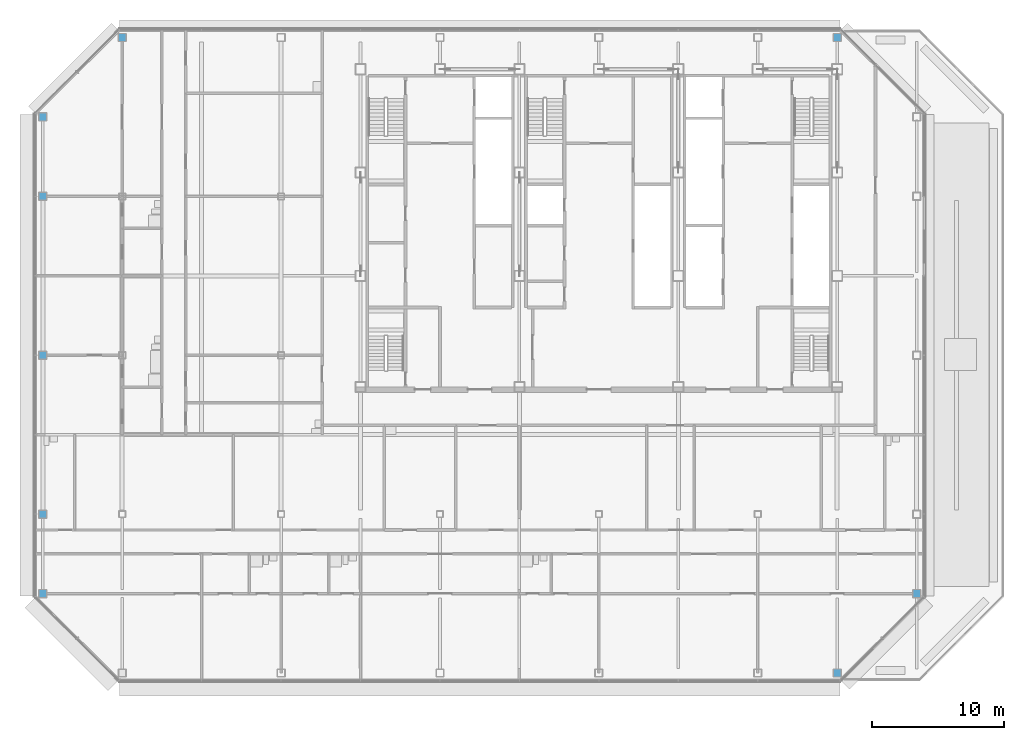
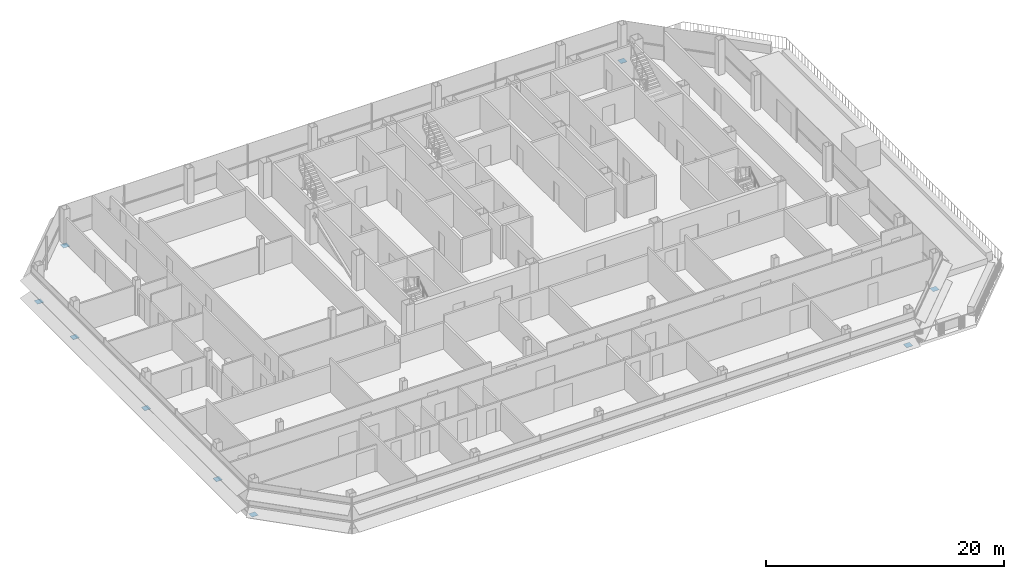
# One storey, part 24 of 28: 9 discrete accessories.
"""IFC4 building model written with IfcOpenShell, lengths in metres."""

from ifc_helpers import new_model, si_unit, direction, frame, origin, origin_2d, place, context, subcontext, project, spatial, rectangle, extrude, material, layer, layer_set, type_object, element, save


model = new_model("IFC4")

# Units and contexts
model_context = context("Model", 3, precision=1e-05, world=origin(), true_north=direction((0.0, 1.0)))
body_context = subcontext(model_context, "Body", "Model", "MODEL_VIEW")
ifc_project = project(units=[si_unit("LENGTHUNIT", "METRE"), si_unit("AREAUNIT", "SQUARE_METRE"), si_unit("VOLUMEUNIT", "CUBIC_METRE"), si_unit("PLANEANGLEUNIT", "RADIAN"), si_unit("MASSUNIT", "GRAM", prefix="KILO")], contexts=[model_context])

# Site, building, storey
site_placement = place(None, origin())
site = spatial("IfcSite", under=ifc_project, at=site_placement, CompositionType="ELEMENT")
building_placement = place(site_placement, origin())
building = spatial("IfcBuilding", under=site, at=building_placement, Name="Sorahane Residences", CompositionType="ELEMENT")
storey_placement = place(building_placement, frame((0.0, 0.0, 290.800048828125)))
storey = spatial("IfcBuildingStorey", under=building, at=storey_placement, Name="L68", CompositionType="ELEMENT", Elevation=290.800048828125)

# Discrete accessories
ifc_material = material(Name="Steel Q355B", Category="steel")
ifc_layer = layer(ifc_material, 0.02001953125)
ifc_layer_set = layer_set([ifc_layer], Name="End plate Steel Q355B 600x600x20")
discrete_accessory_type = type_object("IfcDiscreteAccessoryType", Name="End plate Steel Q355B 600x600x20", PredefinedType="USERDEFINED", material=ifc_layer_set)
for number, where, z_axis, x_axis, name in (
    (1, (42.0, 0.0, -0.320068359375), (0.0, 0.0, 1.0), (1.0, 0.0, 0.0), "End plate L68"),
    (2, (42.0, 48.0, -0.320068359375), (0.0, 0.0, 1.0), (1.0, 0.0, 0.0), "End plate L68"),
    (3, (48.0, 6.0, -0.320068359375), (0.0, 0.0, 1.0), (1.0, 0.0, 0.0), "End plate L68"),
    (4, (-12.0, 48.0, -0.320068359375), (0.0, 0.0, 1.0), (1.0, 0.0, 0.0), "End plate L68"),
    (5, (-18.0, 12.0, -0.320068359375), (0.0, 0.0, 1.0), (1.0, 0.0, 0.0), "End plate L68"),
    (6, (-18.0, 24.0, -0.320068359375), (0.0, 0.0, 1.0), (1.0, 0.0, 0.0), "End plate L68"),
    (7, (-18.0, 36.0, -0.320068359375), (0.0, 0.0, 1.0), (1.0, 0.0, 0.0), "End plate L68"),
    (8, (-18.0, 42.0, -0.320068359375), (0.0, 0.0, 1.0), (1.0, 0.0, 0.0), "End plate L68"),
    (9, (-18.0, 6.0, -0.320068359375), (0.0, 0.0, 1.0), (1.0, 0.0, 0.0), "End plate L68"),
):
    element("IfcDiscreteAccessory", number, at=place(storey_placement, frame(where, z_axis=z_axis, x_axis=x_axis)), inside=storey, type_object=discrete_accessory_type, Name=name, ObjectType="END PLATE", PredefinedType="USERDEFINED", context=body_context, shape_type="SweptSolid", body=[
        extrude(rectangle(XDim=0.60009765625, YDim=0.60009765625, at=origin_2d()), origin(), (0.0, 0.0, 1.0), 0.02001953125),
    ])

save(model, "model.ifc")
